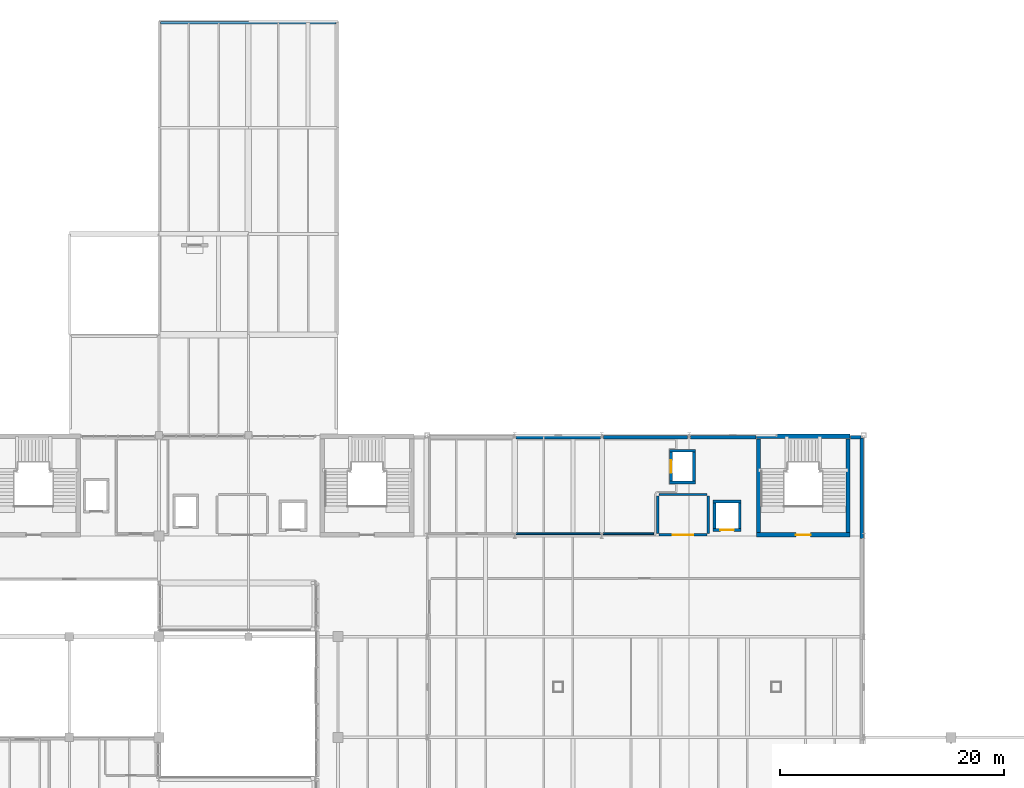
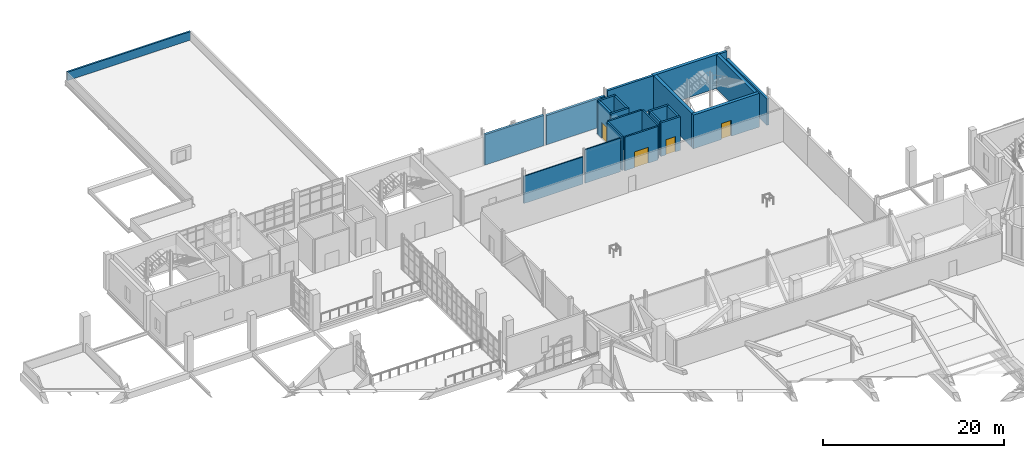
# One storey, part 116 of 127: 24 walls, 4 doors, 4 openings.
"""IFC4 building model written with IfcOpenShell, lengths in metres."""

from ifc_helpers import new_model, si_unit, derived_unit, direction, frame, frame_2d, origin, place, context, subcontext, project, spatial, rectangle, extrude, material, layer, layer_set, type_object, element, fill, save


model = new_model("IFC4")

# Units and contexts
model_context = context("Model", 3, precision=1e-05, world=origin(), true_north=direction((0.0, 1.0)))
body_context = subcontext(model_context, "Body", "Model", "MODEL_VIEW")
ifc_project = project(units=[si_unit("LENGTHUNIT", "METRE"), si_unit("AREAUNIT", "SQUARE_METRE"), si_unit("VOLUMEUNIT", "CUBIC_METRE"), si_unit("PLANEANGLEUNIT", "RADIAN"), si_unit("MASSUNIT", "GRAM", prefix="KILO"), derived_unit("THERMALTRANSMITTANCEUNIT", [(si_unit("POWERUNIT", "WATT"), 1), (si_unit("LENGTHUNIT", "METRE"), -2), (si_unit("THERMODYNAMICTEMPERATUREUNIT", "KELVIN"), -1)])], contexts=[model_context])

# Site, building, storey
site_placement = place(None, origin())
site = spatial("IfcSite", under=ifc_project, at=site_placement, CompositionType="ELEMENT")
building_placement = place(site_placement, origin())
building = spatial("IfcBuilding", under=site, at=building_placement, Name="Nallur Shell Playhouse", CompositionType="ELEMENT")
storey_placement = place(building_placement, frame((0.0, 0.0, 5.39990234375)))
storey = spatial("IfcBuildingStorey", under=building, at=storey_placement, Name="L02", CompositionType="ELEMENT", Elevation=5.39990234375)

# Wall, opening, door
ifc_material_1 = material(Name="Concrete M45", Category="concrete")
ifc_layer_1 = layer(ifc_material_1, 0.39990234375)
ifc_layer_set_1 = layer_set([ifc_layer_1], Name="Concrete M45")
wall_type_1 = type_object("IfcWallType", Name="WL-CORE-400", PredefinedType="SHEAR", material=ifc_layer_set_1)
wall_1_placement = place(storey_placement, frame((93.39990234375, 74.10009765625, 0.0), z_axis=(0.0, 0.0, 1.0), x_axis=(1.0, 0.0, 0.0)))
wall_1 = element("IfcWall", 1, at=wall_1_placement, inside=storey, type_object=wall_type_1, Name="Joint Core JC-4 shear wall S (L02)", PredefinedType="SHEAR", context=body_context, shape_type="SweptSolid", body=[
    extrude(rectangle(XDim=8.400146484375, YDim=0.39990234375, at=frame_2d((4.2001953125, 0.0))), origin(), (0.0, 0.0, 1.0), 4.5400390625),
])
opening_1_placement = place(wall_1_placement, frame((3.550048828125, 0.0, 0.0)))
opening_1 = element("IfcOpeningElement", 2, at=opening_1_placement, cuts=wall_1, Name="Opening FD-ST1", PredefinedType="OPENING", context=body_context, shape_type="SweptSolid", body=[
    extrude(rectangle(XDim=1.300048828125, YDim=2.14990234375, at=frame_2d((0.64990234375, 1.074951171875))), frame((0.0, 0.2099609375, 0.0), z_axis=(0.0, -1.0, 0.0), x_axis=(1.0, 0.0, 0.0)), (0.0, 0.0, 1.0), 0.419921875),
])
ifc_material_2 = material(Name="Galvanised Steel Fire-Rated Stair Door", Category="steel")
door_type_1 = type_object("IfcDoorType", Name="DR-INT-STAIR-L", OperationType="SINGLE_SWING_LEFT", PredefinedType="DOOR", material=ifc_material_2)
door_1_placement = place(opening_1_placement, origin())
door_1 = element("IfcDoor", 3, at=door_1_placement, inside=storey, type_object=door_type_1, Name="Exit stair ST-04 fire door (L02)", OperationType="SINGLE_SWING_LEFT", OverallHeight=2.14990234375, OverallWidth=1.300048828125, PredefinedType="DOOR", context=body_context, shape_type="SweptSolid", body=[
    extrude(rectangle(XDim=1.300048828125, YDim=2.14990234375, at=frame_2d((0.64990234375, 1.074951171875))), frame((0.0, 0.02490234375, 0.0), z_axis=(0.0, -1.0, 0.0), x_axis=(1.0, 0.0, 0.0)), (0.0, 0.0, 1.0), 0.050048828125),
])
fill(opening_1, door_1)

# Walls
wall_2_placement = place(storey_placement, frame((101.800048828125, 82.89990234375, 0.0), z_axis=(0.0, 0.0, 1.0), x_axis=(-1.0, 0.0, 0.0)))
element("IfcWall", 4, at=wall_2_placement, inside=storey, type_object=wall_type_1, Name="Joint Core JC-4 shear wall N (L02)", PredefinedType="SHEAR", context=body_context, shape_type="SweptSolid", body=[
    extrude(rectangle(XDim=8.400146484375, YDim=0.39990234375, at=frame_2d((4.2001953125, 0.0))), origin(), (0.0, 0.0, 1.0), 4.5400390625),
])
for number, where, z_axis, x_axis, name in (
    (5, (101.60009765625, 74.31005859375, 0.0), (0.0, 0.0, 1.0), (0.0, 1.0, 0.0), "Joint Core JC-4 shear wall E (L02)"),
    (6, (93.60009765625, 82.68994140625, 0.0), (0.0, 0.0, 1.0), (0.0, -1.0, 0.0), "Joint Core JC-4 shear wall W (L02)"),
):
    element("IfcWall", number, at=place(storey_placement, frame(where, z_axis=z_axis, x_axis=x_axis)), inside=storey, type_object=wall_type_1, Name=name, PredefinedType="SHEAR", context=body_context, shape_type="SweptSolid", body=[
        extrude(rectangle(XDim=8.3798828125, YDim=0.39990234375, at=frame_2d((4.18994140625, 0.0))), origin(), (0.0, 0.0, 1.0), 4.5400390625),
    ])
ifc_material_3 = material(Name="Concrete M35", Category="concrete")
ifc_layer_2 = layer(ifc_material_3, 0.300048828125)
ifc_layer_set_2 = layer_set([ifc_layer_2], Name="Concrete M35")
wall_type_2 = type_object("IfcWallType", Name="WL-EXT-RC300", PredefinedType="STANDARD", material=ifc_layer_set_2)
wall_3_placement = place(storey_placement, frame((71.93310546875, 82.830078125, 0.0), z_axis=(0.0, 0.0, 1.0), x_axis=(1.0, 0.0, 0.0)))
element("IfcWall", 7, at=wall_3_placement, inside=storey, type_object=wall_type_2, Name="L02 exterior wall EW-L02-093", PredefinedType="STANDARD", context=body_context, shape_type="SweptSolid", body=[
    extrude(rectangle(XDim=7.533935546875, YDim=0.300048828125, at=frame_2d((3.76708984375, 0.0))), origin(), (0.0, 0.0, 1.0), 4.0751953125),
])
wall_4_placement = place(storey_placement, frame((79.73291015625, 82.830078125, 0.0), z_axis=(0.0, 0.0, 1.0), x_axis=(1.0, 0.0, 0.0)))
element("IfcWall", 8, at=wall_4_placement, inside=storey, type_object=wall_type_2, Name="L02 exterior wall EW-L02-094", PredefinedType="STANDARD", context=body_context, shape_type="SweptSolid", body=[
    extrude(rectangle(XDim=7.5341796875, YDim=0.300048828125, at=frame_2d((3.76708984375, 0.0))), origin(), (0.0, 0.0, 1.0), 3.925048828125),
])
wall_5_placement = place(storey_placement, frame((87.532958984375, 82.830078125, 0.0), z_axis=(0.0, 0.0, 1.0), x_axis=(1.0, 0.0, 0.0)))
element("IfcWall", 9, at=wall_5_placement, inside=storey, type_object=wall_type_2, Name="L02 exterior wall EW-L02-095", PredefinedType="STANDARD", context=body_context, shape_type="SweptSolid", body=[
    extrude(rectangle(XDim=5.863037109375, YDim=0.300048828125, at=frame_2d((2.931640625, 0.0))), origin(), (0.0, 0.0, 1.0), 4.5400390625),
])
wall_6_placement = place(storey_placement, frame((102.830078125, 82.76708984375, 0.0), z_axis=(0.0, 0.0, 1.0), x_axis=(0.0, -1.0, 0.0)))
element("IfcWall", 10, at=wall_6_placement, inside=storey, type_object=wall_type_2, Name="L02 exterior wall EW-L02-097", PredefinedType="STANDARD", context=body_context, shape_type="SweptSolid", body=[
    extrude(rectangle(XDim=9.0, YDim=0.300048828125, at=frame_2d((4.5, 0.0))), origin(), (0.0, 0.0, 1.0), 3.525146484375),
])
ifc_layer_3 = layer(ifc_material_3, 0.320068359375)
ifc_layer_set_3 = layer_set([ifc_layer_3], Name="Concrete M35")
wall_type_3 = type_object("IfcWallType", Name="WL-EXT-RC320", PredefinedType="STANDARD", material=ifc_layer_set_3)
wall_7_placement = place(storey_placement, frame((101.803955078125, 82.820068359375, 0.0), z_axis=(0.0, 0.0, 1.0), x_axis=(1.0, 0.0, 0.0)))
element("IfcWall", 11, at=wall_7_placement, inside=storey, type_object=wall_type_3, Name="L02 exterior wall EW-L02-096", PredefinedType="STANDARD", context=body_context, shape_type="SweptSolid", body=[
    extrude(rectangle(XDim=0.963134765625, YDim=0.320068359375, at=frame_2d((0.4814453125, 0.0))), origin(), (0.0, 0.0, 1.0), 4.5400390625),
])
ifc_layer_4 = layer(ifc_material_3, 0.219970703125)
ifc_layer_set_4 = layer_set([ifc_layer_4], Name="Concrete M35")
wall_type_4 = type_object("IfcWallType", Name="WL-PARAPET-220", PredefinedType="PARAPET", material=ifc_layer_set_4)
wall_8_placement = place(storey_placement, frame((40.14990234375, 119.8701171875, 0.0), z_axis=(0.0, 0.0, 1.0), x_axis=(1.0, 0.0, 0.0)))
element("IfcWall", 12, at=wall_8_placement, inside=storey, type_object=wall_type_4, Name="L02 concrete roof parapet PAR-015", PredefinedType="PARAPET", context=body_context, shape_type="SweptSolid", body=[
    extrude(rectangle(XDim=15.7001953125, YDim=0.219970703125, at=frame_2d((7.85009765625, 0.0))), origin(), (0.0, 0.0, 1.0), 1.150146484375),
])
ifc_material_4 = material(Name="Concrete M30", Category="concrete")
ifc_layer_5 = layer(ifc_material_4, 0.199951171875)
ifc_layer_set_5 = layer_set([ifc_layer_5], Name="Concrete M30")
wall_type_5 = type_object("IfcWallType", Name="WL-PART-AC200", PredefinedType="PARTITIONING", material=ifc_layer_set_5)
wall_9_placement = place(storey_placement, frame((84.60009765625, 74.219970703125, 0.0), z_axis=(0.0, 0.0, 1.0), x_axis=(0.0, 1.0, 0.0)))
element("IfcWall", 13, at=wall_9_placement, inside=storey, type_object=wall_type_5, Name="Firefighting Lobby JC-4 partition IW-L02-0130", PredefinedType="PARTITIONING", context=body_context, shape_type="SweptSolid", body=[
    extrude(rectangle(XDim=3.360107421875, YDim=0.199951171875, at=frame_2d((1.68017578125, 0.0))), origin(), (0.0, 0.0, 1.0), 4.530029296875),
])
wall_10_placement = place(storey_placement, frame((84.719970703125, 77.699951171875, 0.0), z_axis=(0.0, 0.0, 1.0), x_axis=(1.0, 0.0, 0.0)))
element("IfcWall", 14, at=wall_10_placement, inside=storey, type_object=wall_type_5, Name="Firefighting Lobby JC-4 partition IW-L02-0131", PredefinedType="PARTITIONING", context=body_context, shape_type="SweptSolid", body=[
    extrude(rectangle(XDim=4.260009765625, YDim=0.199951171875, at=frame_2d((2.1298828125, 0.0))), origin(), (0.0, 0.0, 1.0), 4.530029296875),
])
wall_11_placement = place(storey_placement, frame((89.10009765625, 77.580078125, 0.0), z_axis=(0.0, 0.0, 1.0), x_axis=(0.0, -1.0, 0.0)))
element("IfcWall", 15, at=wall_11_placement, inside=storey, type_object=wall_type_5, Name="Firefighting Lobby JC-4 partition IW-L02-0132", PredefinedType="PARTITIONING", context=body_context, shape_type="SweptSolid", body=[
    extrude(rectangle(XDim=3.360107421875, YDim=0.199951171875, at=frame_2d((1.68017578125, 0.0))), origin(), (0.0, 0.0, 1.0), 4.530029296875),
])

# Wall, opening, door
wall_12_placement = place(storey_placement, frame((88.97998046875, 74.10009765625, 0.0), z_axis=(0.0, 0.0, 1.0), x_axis=(-1.0, 0.0, 0.0)))
wall_12 = element("IfcWall", 16, at=wall_12_placement, inside=storey, type_object=wall_type_5, Name="Firefighting Lobby JC-4 partition IW-L02-0133", PredefinedType="PARTITIONING", context=body_context, shape_type="SweptSolid", body=[
    extrude(rectangle(XDim=4.260009765625, YDim=0.199951171875, at=frame_2d((2.1298828125, 0.0))), origin(), (0.0, 0.0, 1.0), 4.530029296875),
])
opening_2_placement = place(wall_12_placement, frame((1.22998046875, 0.0, 0.0)))
opening_2 = element("IfcOpeningElement", 17, at=opening_2_placement, cuts=wall_12, Name="Opening FD-FL1", PredefinedType="OPENING", context=body_context, shape_type="SweptSolid", body=[
    extrude(rectangle(XDim=1.800048828125, YDim=2.14990234375, at=frame_2d((0.89990234375, 1.074951171875))), frame((0.0, 0.10986328125, 0.0), z_axis=(0.0, -1.0, 0.0), x_axis=(1.0, 0.0, 0.0)), (0.0, 0.0, 1.0), 0.219970703125),
])
ifc_material_5 = material(Name="Firefighting Lobby Smoke-Seal Double Door")
door_type_2 = type_object("IfcDoorType", Name="DR-INT-FFL-DBL", OperationType="DOUBLE_DOOR_SINGLE_SWING", PredefinedType="DOOR", material=ifc_material_5)
door_2_placement = place(opening_2_placement, origin())
door_2 = element("IfcDoor", 18, at=door_2_placement, inside=storey, type_object=door_type_2, Name="Firefighting Lobby JC-4 smoke-seal door (L02)", OperationType="DOUBLE_DOOR_SINGLE_SWING", OverallHeight=2.14990234375, OverallWidth=1.800048828125, PredefinedType="DOOR", context=body_context, shape_type="SweptSolid", body=[
    extrude(rectangle(XDim=1.800048828125, YDim=2.14990234375, at=frame_2d((0.89990234375, 1.074951171875))), frame((0.0, 0.02490234375, 0.0), z_axis=(0.0, -1.0, 0.0), x_axis=(1.0, 0.0, 0.0)), (0.0, 0.0, 1.0), 0.050048828125),
])
fill(opening_2, door_2)

# Walls
ifc_material_6 = material(Name="Concrete M25 Fire Blockwork", Category="masonry")
ifc_layer_6 = layer(ifc_material_6, 0.14990234375)
ifc_layer_set_6 = layer_set([ifc_layer_6], Name="Concrete M25 Fire Blockwork")
wall_type_6 = type_object("IfcWallType", Name="WL-PART-FR150", PredefinedType="PARTITIONING", material=ifc_layer_set_6)
wall_13_placement = place(storey_placement, frame((84.22509765625, 74.199951171875, 0.0), z_axis=(0.0, 0.0, 1.0), x_axis=(-1.0, 0.0, 0.0)))
element("IfcWall", 19, at=wall_13_placement, inside=storey, type_object=wall_type_6, Name="Prop-Making & Sculpting Studio partition IW-L02-0173", PredefinedType="PARTITIONING", context=body_context, shape_type="SweptSolid", body=[
    extrude(rectangle(XDim=4.485107421875, YDim=0.14990234375, at=frame_2d((2.24267578125, 0.0))), origin(), (0.0, 0.0, 1.0), 4.530029296875),
])
wall_14_placement = place(storey_placement, frame((79.4599609375, 74.199951171875, 0.0), z_axis=(0.0, 0.0, 1.0), x_axis=(-1.0, 0.0, 0.0)))
element("IfcWall", 20, at=wall_14_placement, inside=storey, type_object=wall_type_6, Name="Prop-Making & Sculpting Studio partition IW-L02-0174", PredefinedType="PARTITIONING", context=body_context, shape_type="SweptSolid", body=[
    extrude(rectangle(XDim=7.52001953125, YDim=0.14990234375, at=frame_2d((3.760009765625, 0.0))), origin(), (0.0, 0.0, 1.0), 3.670166015625),
])

# Wall, opening, door
ifc_layer_7 = layer(ifc_material_1, 0.25)
ifc_layer_set_7 = layer_set([ifc_layer_7], Name="Concrete M45")
wall_type_7 = type_object("IfcWallType", Name="WL-SHAFT-250", PredefinedType="STANDARD", material=ifc_layer_set_7)
wall_15_placement = place(storey_placement, frame((89.550048828125, 74.52490234375, 0.0), z_axis=(0.0, 0.0, 1.0), x_axis=(1.0, 0.0, 0.0)))
wall_15 = element("IfcWall", 21, at=wall_15_placement, inside=storey, type_object=wall_type_7, Name="Fireman's Lift FL-2 shaft wall south (L02)", PredefinedType="STANDARD", context=body_context, shape_type="SweptSolid", body=[
    extrude(rectangle(XDim=2.5, YDim=0.25, at=frame_2d((1.25, 0.0))), origin(), (0.0, 0.0, 1.0), 4.530029296875),
])
opening_3_placement = place(wall_15_placement, frame((0.64990234375, 0.0, 0.0)))
opening_3 = element("IfcOpeningElement", 22, at=opening_3_placement, cuts=wall_15, Name="Opening LD-F1", PredefinedType="OPENING", context=body_context, shape_type="SweptSolid", body=[
    extrude(rectangle(XDim=1.199951171875, YDim=2.050048828125, at=frame_2d((0.60009765625, 1.02490234375))), frame((0.0, 0.135009765625, 0.0), z_axis=(0.0, -1.0, 0.0), x_axis=(1.0, 0.0, 0.0)), (0.0, 0.0, 1.0), 0.27001953125),
])
ifc_material_7 = material(Name="Fireman Lift Fire-Rated Sliding Landing Door")
door_type_3 = type_object("IfcDoorType", Name="DR-LIFT-FIRE", OperationType="DOUBLE_DOOR_SLIDING", PredefinedType="DOOR", material=ifc_material_7)
door_3_placement = place(opening_3_placement, origin())
door_3 = element("IfcDoor", 23, at=door_3_placement, inside=storey, type_object=door_type_3, Name="Fireman's Lift FL-2 sliding landing door (L02)", OperationType="DOUBLE_DOOR_SLIDING", OverallHeight=2.050048828125, OverallWidth=1.199951171875, PredefinedType="DOOR", context=body_context, shape_type="SweptSolid", body=[
    extrude(rectangle(XDim=1.199951171875, YDim=2.050048828125, at=frame_2d((0.60009765625, 1.02490234375))), frame((0.0, 0.02490234375, 0.0), z_axis=(0.0, -1.0, 0.0), x_axis=(1.0, 0.0, 0.0)), (0.0, 0.0, 1.0), 0.050048828125),
])
fill(opening_3, door_3)

# Walls
wall_16_placement = place(storey_placement, frame((92.050048828125, 77.074951171875, 0.0), z_axis=(0.0, 0.0, 1.0), x_axis=(-1.0, 0.0, 0.0)))
element("IfcWall", 24, at=wall_16_placement, inside=storey, type_object=wall_type_7, Name="Fireman's Lift FL-2 shaft wall north (L02)", PredefinedType="STANDARD", context=body_context, shape_type="SweptSolid", body=[
    extrude(rectangle(XDim=2.5, YDim=0.25, at=frame_2d((1.25, 0.0))), origin(), (0.0, 0.0, 1.0), 4.530029296875),
])
for number, where, z_axis, x_axis, name in (
    (25, (91.925048828125, 74.659912109375, 0.0), (0.0, 0.0, 1.0), (0.0, 1.0, 0.0), "Fireman's Lift FL-2 shaft wall east (L02)"),
    (26, (89.675048828125, 76.93994140625, 0.0), (0.0, 0.0, 1.0), (0.0, -1.0, 0.0), "Fireman's Lift FL-2 shaft wall west (L02)"),
):
    element("IfcWall", number, at=place(storey_placement, frame(where, z_axis=z_axis, x_axis=x_axis)), inside=storey, type_object=wall_type_7, Name=name, PredefinedType="STANDARD", context=body_context, shape_type="SweptSolid", body=[
        extrude(rectangle(XDim=2.280029296875, YDim=0.25, at=frame_2d((1.14013671875, 0.0))), origin(), (0.0, 0.0, 1.0), 4.530029296875),
    ])
for number, where, z_axis, x_axis, name in (
    (27, (85.64990234375, 78.77490234375, 0.0), (0.0, 0.0, 1.0), (1.0, 0.0, 0.0), "Passenger Lift PL-4 shaft wall south (L02)"),
    (28, (87.949951171875, 81.625, 0.0), (0.0, 0.0, 1.0), (-1.0, 0.0, 0.0), "Passenger Lift PL-4 shaft wall north (L02)"),
):
    element("IfcWall", number, at=place(storey_placement, frame(where, z_axis=z_axis, x_axis=x_axis)), inside=storey, type_object=wall_type_7, Name=name, PredefinedType="STANDARD", context=body_context, shape_type="SweptSolid", body=[
        extrude(rectangle(XDim=2.300048828125, YDim=0.25, at=frame_2d((1.14990234375, 0.0))), origin(), (0.0, 0.0, 1.0), 4.530029296875),
    ])
wall_17_placement = place(storey_placement, frame((87.824951171875, 78.909912109375, 0.0), z_axis=(0.0, 0.0, 1.0), x_axis=(0.0, 1.0, 0.0)))
element("IfcWall", 29, at=wall_17_placement, inside=storey, type_object=wall_type_7, Name="Passenger Lift PL-4 shaft wall east (L02)", PredefinedType="STANDARD", context=body_context, shape_type="SweptSolid", body=[
    extrude(rectangle(XDim=2.580078125, YDim=0.25, at=frame_2d((1.2900390625, 0.0))), origin(), (0.0, 0.0, 1.0), 4.530029296875),
])

# Wall, opening, door
wall_18_placement = place(storey_placement, frame((85.77490234375, 81.489990234375, 0.0), z_axis=(0.0, 0.0, 1.0), x_axis=(0.0, -1.0, 0.0)))
wall_18 = element("IfcWall", 30, at=wall_18_placement, inside=storey, type_object=wall_type_7, Name="Passenger Lift PL-4 shaft wall west (L02)", PredefinedType="STANDARD", context=body_context, shape_type="SweptSolid", body=[
    extrude(rectangle(XDim=2.580078125, YDim=0.25, at=frame_2d((1.2900390625, 0.0))), origin(), (0.0, 0.0, 1.0), 4.530029296875),
])
opening_4_placement = place(wall_18_placement, frame((0.739990234375, 0.0, 0.0)))
opening_4 = element("IfcOpeningElement", 31, at=opening_4_placement, cuts=wall_18, Name="Opening LD-P1", PredefinedType="OPENING", context=body_context, shape_type="SweptSolid", body=[
    extrude(rectangle(XDim=1.10009765625, YDim=2.14990234375, at=frame_2d((0.550048828125, 1.074951171875))), frame((0.0, 0.135009765625, 0.0), z_axis=(0.0, -1.0, 0.0), x_axis=(1.0, 0.0, 0.0)), (0.0, 0.0, 1.0), 0.27001953125),
])
ifc_material_8 = material(Name="Brushed Stainless Steel Lift Landing Door", Category="steel")
door_type_4 = type_object("IfcDoorType", Name="DR-LIFT-PASS", OperationType="DOUBLE_DOOR_SLIDING", PredefinedType="DOOR", material=ifc_material_8)
door_4_placement = place(opening_4_placement, origin())
door_4 = element("IfcDoor", 32, at=door_4_placement, inside=storey, type_object=door_type_4, Name="Passenger Lift PL-4 sliding landing door (L02)", OperationType="DOUBLE_DOOR_SLIDING", OverallHeight=2.14990234375, OverallWidth=1.10009765625, PredefinedType="DOOR", context=body_context, shape_type="SweptSolid", body=[
    extrude(rectangle(XDim=1.10009765625, YDim=2.14990234375, at=frame_2d((0.550048828125, 1.074951171875))), frame((0.0, 0.02490234375, 0.0), z_axis=(0.0, -1.0, 0.0), x_axis=(1.0, 0.0, 0.0)), (0.0, 0.0, 1.0), 0.050048828125),
])
fill(opening_4, door_4)

save(model, "model.ifc")
